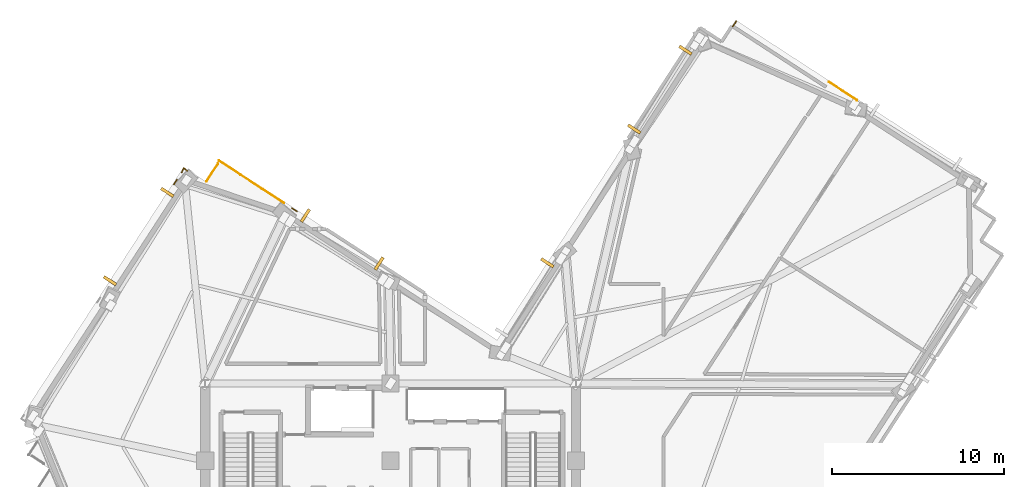
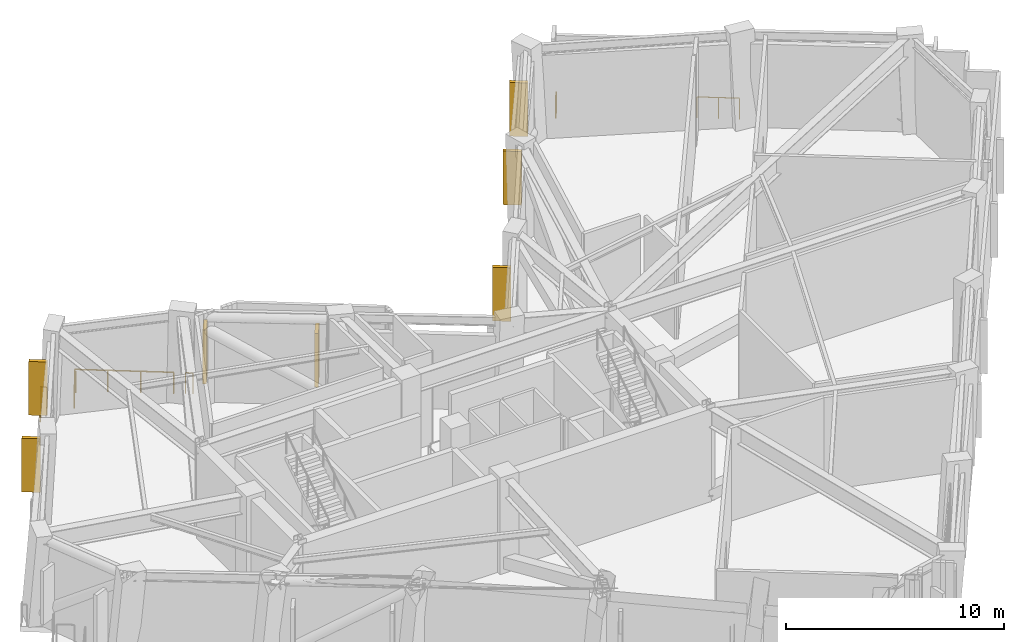
# One storey, part 10 of 11: 7 railings, 7 shading devices.
"""IFC4 building model written with IfcOpenShell, lengths in metres."""

from ifc_helpers import new_model, si_unit, direction, frame, origin, origin_2d, place, context, subcontext, project, spatial, rectangle, circle, extrude, material, layer, layer_set, type_object, element, save


model = new_model("IFC4")

# Units and contexts
model_context = context("Model", 3, precision=1e-05, world=origin(), true_north=direction((0.0, 1.0)))
body_context = subcontext(model_context, "Body", "Model", "MODEL_VIEW")
ifc_project = project(units=[si_unit("LENGTHUNIT", "METRE"), si_unit("AREAUNIT", "SQUARE_METRE"), si_unit("VOLUMEUNIT", "CUBIC_METRE"), si_unit("PLANEANGLEUNIT", "RADIAN"), si_unit("MASSUNIT", "GRAM", prefix="KILO")], contexts=[model_context])

# Site, building, storey
site_placement = place(None, origin())
site = spatial("IfcSite", under=ifc_project, at=site_placement, CompositionType="ELEMENT")
building_placement = place(site_placement, origin())
building = spatial("IfcBuilding", under=site, at=building_placement, Name="Gaonmaruhae Medical Tower", CompositionType="ELEMENT")
storey_placement = place(building_placement, frame((0.0, 0.0, 267.199951171875)))
storey = spatial("IfcBuildingStorey", under=building, at=storey_placement, Name="L64", CompositionType="ELEMENT", Elevation=267.199951171875)

# Railings
ifc_material_1 = material(Name="Stainless steel 316L and laminated safety glass", Category="steel")
ifc_layer = layer(ifc_material_1, 0.080078125)
ifc_layer_set = layer_set([ifc_layer], Name="Stainless steel 316L and laminated safety glass")
railing_type = type_object("IfcRailingType", Name="GD-120 Outdoor Terrace Safety Glass & Steel Balustrade", PredefinedType="BALUSTRADE", material=ifc_layer_set)
railing_1_placement = place(storey_placement, frame((51.964599609375, 33.299072265625, 0.0)))
element("IfcRailing", 1, at=railing_1_placement, inside=storey, type_object=railing_type, Name="L64 Perimeter Slab Edge Safety Balustrade 03", PredefinedType="BALUSTRADE", context=body_context, shape_type="SweptSolid", body=[
    extrude(circle(Radius=0.02392578125, at=origin_2d()), frame((0.0, 0.0, 1.17578125), z_axis=(-0.838649955305, 0.544670774383, 0.0), x_axis=(-0.544670774383, -0.838649955305, 0.0)), (0.0, 0.0, 1.0), 1.94580078125),
    extrude(circle(Radius=0.02099609375, at=origin_2d()), origin(), (0.0, 0.0, 1.0), 1.15185546875),
    extrude(circle(Radius=0.02099609375, at=origin_2d()), frame((-0.81591796875, 0.52978515625, 0.0)), (0.0, 0.0, 1.0), 1.15185546875),
    extrude(circle(Radius=0.02099609375, at=origin_2d()), frame((-1.6318359375, 1.059814453125, 0.0)), (0.0, 0.0, 1.0), 1.15185546875),
])
railing_2_placement = place(storey_placement, frame((44.944580078125, 37.91748046875, 0.0)))
element("IfcRailing", 2, at=railing_2_placement, inside=storey, type_object=railing_type, Name="L64 Perimeter Slab Edge Safety Balustrade 04", PredefinedType="BALUSTRADE", context=body_context, shape_type="SweptSolid", body=[
    extrude(circle(Radius=0.02392578125, at=origin_2d()), frame((0.0, 0.0, 1.17578125), z_axis=(-0.544922903474, -0.838486153296, 0.0), x_axis=(0.838486153296, -0.544922903474, 0.0)), (0.0, 0.0, 1.0), 0.393310546875),
    extrude(circle(Radius=0.02099609375, at=origin_2d()), origin(), (0.0, 0.0, 1.0), 1.15185546875),
    extrude(circle(Radius=0.02099609375, at=origin_2d()), frame((-0.21435546875, -0.329833984375, 0.0)), (0.0, 0.0, 1.0), 1.15185546875),
])
railing_3_placement = place(storey_placement, frame((19.342041015625, 26.82177734375, 0.0)))
element("IfcRailing", 3, at=railing_3_placement, inside=storey, type_object=railing_type, Name="L64 Perimeter Slab Edge Safety Balustrade 05", PredefinedType="BALUSTRADE", context=body_context, shape_type="SweptSolid", body=[
    extrude(circle(Radius=0.02392578125, at=origin_2d()), frame((0.0, 0.0, 1.17578125), z_axis=(-0.838970180671, 0.54417739382, 0.0), x_axis=(-0.54417739382, -0.838970180671, 0.0)), (0.0, 0.0, 1.0), 0.338623046875),
    extrude(circle(Radius=0.02099609375, at=origin_2d()), origin(), (0.0, 0.0, 1.0), 1.15185546875),
    extrude(circle(Radius=0.02099609375, at=origin_2d()), frame((-0.2841796875, 0.184326171875, 0.0)), (0.0, 0.0, 1.0), 1.15185546875),
])
railing_4_placement = place(storey_placement, frame((18.592529296875, 27.308349609375, 0.0)))
element("IfcRailing", 4, at=railing_4_placement, inside=storey, type_object=railing_type, Name="L64 Perimeter Slab Edge Safety Balustrade 06", PredefinedType="BALUSTRADE", context=body_context, shape_type="SweptSolid", body=[
    extrude(circle(Radius=0.02392578125, at=origin_2d()), frame((0.0, 0.0, 1.17578125), z_axis=(-0.838676388107, 0.544630072647, 0.0), x_axis=(-0.544630072647, -0.838676388107, 0.0)), (0.0, 0.0, 1.0), 4.527587890625),
    extrude(circle(Radius=0.02099609375, at=origin_2d()), origin(), (0.0, 0.0, 1.0), 1.15185546875),
    extrude(circle(Radius=0.02099609375, at=origin_2d()), frame((-1.265625, 0.822021484375, 0.0)), (0.0, 0.0, 1.0), 1.15185546875),
    extrude(circle(Radius=0.02099609375, at=origin_2d()), frame((-2.531494140625, 1.643798828125, 0.0)), (0.0, 0.0, 1.0), 1.15185546875),
    extrude(circle(Radius=0.02099609375, at=origin_2d()), frame((-3.797119140625, 2.4658203125, 0.0)), (0.0, 0.0, 1.0), 1.15185546875),
])
railing_5_placement = place(storey_placement, frame((14.737548828125, 29.59326171875, 0.0)))
element("IfcRailing", 5, at=railing_5_placement, inside=storey, type_object=railing_type, Name="L64 Perimeter Slab Edge Safety Balustrade 07", PredefinedType="BALUSTRADE", context=body_context, shape_type="SweptSolid", body=[
    extrude(circle(Radius=0.02392578125, at=origin_2d()), frame((0.0, 0.0, 1.17578125), z_axis=(-0.544694521577, -0.838634531941, 0.0), x_axis=(0.838634531941, -0.544694521577, 0.0)), (0.0, 0.0, 1.0), 1.226806640625),
    extrude(circle(Radius=0.02099609375, at=origin_2d()), origin(), (0.0, 0.0, 1.0), 1.15185546875),
    extrude(circle(Radius=0.02099609375, at=origin_2d()), frame((-0.668212890625, -1.02880859375, 0.0)), (0.0, 0.0, 1.0), 1.15185546875),
])
railing_6_placement = place(storey_placement, frame((12.35791015625, 28.68310546875, 0.0)))
element("IfcRailing", 6, at=railing_6_placement, inside=storey, type_object=railing_type, Name="L64 Perimeter Slab Edge Safety Balustrade 08", PredefinedType="BALUSTRADE", context=body_context, shape_type="SweptSolid", body=[
    extrude(circle(Radius=0.02392578125, at=origin_2d()), frame((0.0, 0.0, 1.17578125), z_axis=(-0.544684420792, -0.838641092331, 0.0), x_axis=(0.838641092331, -0.544684420792, 0.0)), (0.0, 0.0, 1.0), 0.3388671875),
    extrude(circle(Radius=0.02099609375, at=origin_2d()), origin(), (0.0, 0.0, 1.0), 1.15185546875),
    extrude(circle(Radius=0.02099609375, at=origin_2d()), frame((-0.1845703125, -0.2841796875, 0.0)), (0.0, 0.0, 1.0), 1.15185546875),
])
railing_7_placement = place(storey_placement, frame((12.971923828125, 29.169921875, 0.0)))
element("IfcRailing", 7, at=railing_7_placement, inside=storey, type_object=railing_type, Name="L64 Perimeter Corner Safety Balustrade 21", PredefinedType="BALUSTRADE", context=body_context, shape_type="SweptSolid", body=[
    extrude(circle(Radius=0.02392578125, at=origin_2d()), frame((0.0, 0.0, 1.17578125), z_axis=(-0.76570486479, 0.643192086423, 0.0), x_axis=(-0.643192086423, -0.76570486479, 0.0)), (0.0, 0.0, 1.0), 0.286865234375),
    extrude(circle(Radius=0.02392578125, at=origin_2d()), frame((-0.2197265625, 0.1845703125, 1.17578125), z_axis=(-0.438356680941, -0.89880110162, 0.0), x_axis=(0.89880110162, -0.438356680941, 0.0)), (0.0, 0.0, 1.0), 0.287353515625),
    extrude(circle(Radius=0.02099609375, at=origin_2d()), origin(), (0.0, 0.0, 1.0), 1.15185546875),
    extrude(circle(Radius=0.02099609375, at=origin_2d()), frame((-0.2197265625, 0.1845703125, 0.0)), (0.0, 0.0, 1.0), 1.15185546875),
    extrude(circle(Radius=0.02099609375, at=origin_2d()), frame((-0.345703125, -0.07373046875, 0.0)), (0.0, 0.0, 1.0), 1.15185546875),
])

# Shading devices
ifc_material_2 = material(Name="Pigmented coral precast concrete C45/55", Category="concrete")
shading_device_type = type_object("IfcShadingDeviceType", Name="SD-FIN1 Tower Vertical Coral Precast Shading Fin", PredefinedType="USERDEFINED", material=ifc_material_2)
for number, where, z_axis, x_axis, name in (
    (8, (38.98779296875, 31.618896484375, 0.83251953125), (0.0, 0.0, 1.0), (0.544639035015, 0.838670567945, 0.0), "L64 Vertical Coral Precast Shading Fin E03"),
    (9, (41.972412109375, 36.214599609375, 0.83251953125), (0.0, 0.0, 1.0), (0.544639035015, 0.838670567945, 0.0), "L64 Vertical Coral Precast Shading Fin E03B"),
    (10, (33.928466796875, 23.827880859375, 0.83251953125), (0.0, 0.0, 1.0), (0.544624397369, 0.838680073562, 0.0), "L64 Vertical Coral Precast Shading Fin EN02B"),
    (11, (19.8349609375, 26.5791015625, 0.83251953125), (0.0, 0.0, 1.0), (0.838670567945, -0.544639035015, 0.0), "L64 Vertical Coral Precast Shading Fin NE01"),
    (12, (24.13232421875, 23.788330078125, 0.83251953125), (0.0, 0.0, 1.0), (0.838670567945, -0.544639035015, 0.0), "L64 Vertical Coral Precast Shading Fin NE01B"),
    (13, (8.45068359375, 22.785888671875, 0.83251953125), (0.0, 0.0, 1.0), (0.544639035015, 0.838670567945, 0.0), "L64 Vertical Coral Precast Shading Fin N01"),
    (14, (11.79150390625, 27.930419921875, 0.83251953125), (0.0, 0.0, 1.0), (0.544639035015, 0.838670567945, 0.0), "L64 Vertical Coral Precast Shading Fin N01B"),
):
    element("IfcShadingDevice", number, at=place(storey_placement, frame(where, z_axis=z_axis, x_axis=x_axis)), inside=storey, type_object=shading_device_type, Name=name, ObjectType="FIN", PredefinedType="USERDEFINED", context=body_context, shape_type="SweptSolid", body=[
        extrude(rectangle(XDim=0.179931640625, YDim=0.85009765625, at=origin_2d()), origin(), (0.0, 0.0, 1.0), 3.0),
    ])

save(model, "model.ifc")
